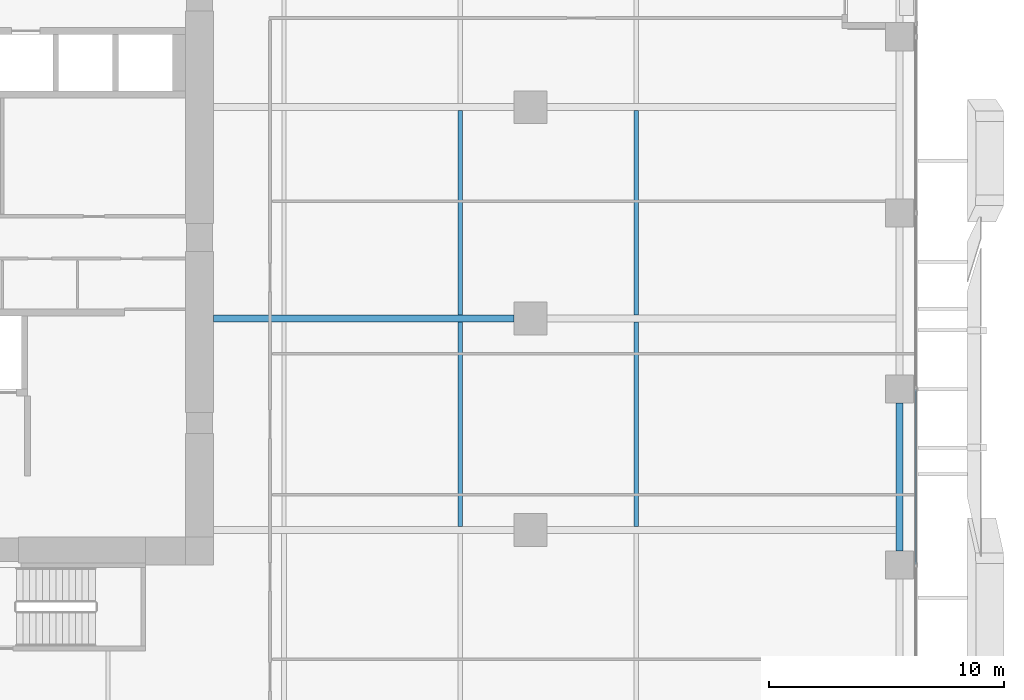
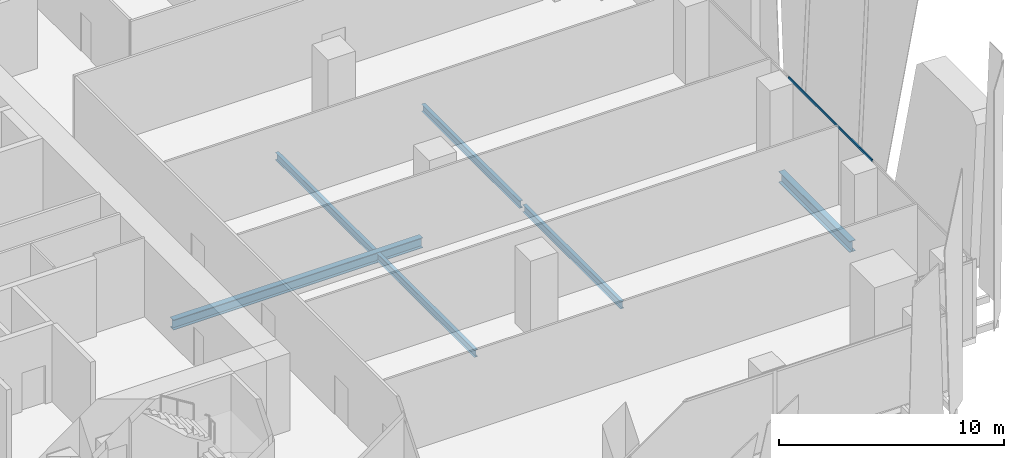
# One storey, part 12 of 37: 6 beams, 1 member, 1 element without a shape of its own.
"""IFC4 building model written with IfcOpenShell, lengths in metres."""

from ifc_helpers import new_model, si_unit, direction, frame, origin, origin_2d, place, context, subcontext, project, spatial, hollow_rectangle, i_section, extrude, source, transform, mapped, material, material_profile, profile_set, type_object, element, aggregate, save


model = new_model("IFC4")

# Units and contexts
model_context = context("Model", 3, precision=1e-05, world=origin(), true_north=direction((0.0, 1.0)))
body_context = subcontext(model_context, "Body", "Model", "MODEL_VIEW")
ifc_project = project(units=[si_unit("LENGTHUNIT", "METRE"), si_unit("AREAUNIT", "SQUARE_METRE"), si_unit("VOLUMEUNIT", "CUBIC_METRE"), si_unit("PLANEANGLEUNIT", "RADIAN"), si_unit("MASSUNIT", "GRAM", prefix="KILO")], contexts=[model_context])

# Site, building, storey
site_placement = place(None, origin())
site = spatial("IfcSite", under=ifc_project, at=site_placement, CompositionType="ELEMENT")
building_placement = place(site_placement, origin())
building = spatial("IfcBuilding", under=site, at=building_placement, Name="Khomas Fold Tower", CompositionType="ELEMENT")
storey_placement = place(building_placement, frame((0.0, 0.0, 60.0)))
storey = spatial("IfcBuildingStorey", under=building, at=storey_placement, Name="L12", CompositionType="ELEMENT", Elevation=60.0)

# Beams
ifc_material_1 = material(Name="Steel S355", Category="steel")
ifc_material_profile_1 = material_profile(ifc_material_1, i_section(OverallWidth=0.300048828125, OverallDepth=0.550048828125, WebThickness=0.014892578125, FlangeThickness=0.029052734375, at=origin_2d()), Name="HE 550 B")
ifc_profile_set_1 = profile_set([ifc_material_profile_1], Name="Steel S355")
beam_type_1 = type_object("IfcBeamType", Name="HE 550 B beam GB4", PredefinedType="BEAM", material=ifc_profile_set_1)
shared_shape_1 = source(origin(), body_context, "Body", "SweptSolid", [
    extrude(i_section(OverallWidth=0.300048828125, OverallDepth=0.550048828125, WebThickness=0.014892578125, FlangeThickness=0.029052734375, at=origin_2d()), origin(), (0.0, 0.0, 1.0), 12.800048828125),
])
beam_1_placement = place(storey_placement, frame((24.0, 22.5, -0.574951171875), z_axis=(1.0, 0.0, 0.0), x_axis=(0.0, 1.0, 0.0)))
element("IfcBeam", 1, at=beam_1_placement, inside=storey, type_object=beam_type_1, Name="GB4", PredefinedType="BEAM", context=body_context, shape_type="MappedRepresentation", body=[
    mapped(shared_shape_1, transform((0.0, 0.0, 0.0))),
])
ifc_material_2 = material(Name="Steel S355", Category="steel")
ifc_material_profile_2 = material_profile(ifc_material_2, i_section(OverallWidth=0.179931640625, OverallDepth=0.39990234375, WebThickness=0.008544921875, FlangeThickness=0.013427734375, at=origin_2d()), Name="IPE 400")
ifc_profile_set_2 = profile_set([ifc_material_profile_2], Name="Steel S355")
beam_type_2 = type_object("IfcBeamType", Name="IPE 400 beam JB3", PredefinedType="BEAM", material=ifc_profile_set_2)
shared_shape_2 = source(origin(), body_context, "Body", "SweptSolid", [
    extrude(i_section(OverallWidth=0.179931640625, OverallDepth=0.39990234375, WebThickness=0.008544921875, FlangeThickness=0.013427734375, at=origin_2d()), origin(), (0.0, 0.0, 1.0), 8.7001953125),
])
for number, where, z_axis, x_axis, name in (
    (2, (34.5, 13.64990234375, -0.5), (0.0, 1.0, 0.0), (-1.0, 0.0, 0.0), "JB3"),
    (3, (34.5, 22.64990234375, -0.5), (0.0, 1.0, 0.0), (-1.0, 0.0, 0.0), "JB3"),
    (4, (42.0, 13.64990234375, -0.5), (0.0, 1.0, 0.0), (-1.0, 0.0, 0.0), "JB3"),
    (5, (42.0, 22.64990234375, -0.5), (0.0, 1.0, 0.0), (-1.0, 0.0, 0.0), "JB3"),
):
    element("IfcBeam", number, at=place(storey_placement, frame(where, z_axis=z_axis, x_axis=x_axis)), inside=storey, type_object=beam_type_2, Name=name, PredefinedType="BEAM", context=body_context, shape_type="MappedRepresentation", body=[
        mapped(shared_shape_2, transform((0.0, 0.0, 0.0))),
    ])
ifc_material_3 = material(Name="Steel S355", Category="steel")
ifc_material_profile_3 = material_profile(ifc_material_3, i_section(OverallWidth=0.300048828125, OverallDepth=0.60009765625, WebThickness=0.015380859375, FlangeThickness=0.030029296875, at=origin_2d()), Name="HE 600 B")
ifc_profile_set_3 = profile_set([ifc_material_profile_3], Name="Steel S355")
beam_type_3 = type_object("IfcBeamType", Name="HE 600 B spandrel SB1", PredefinedType="SPANDREL", material=ifc_profile_set_3)
shared_shape_3 = source(origin(), body_context, "Body", "SweptSolid", [
    extrude(i_section(OverallWidth=0.300048828125, OverallDepth=0.60009765625, WebThickness=0.015380859375, FlangeThickness=0.030029296875, at=origin_2d()), origin(), (0.0, 0.0, 1.0), 6.2998046875),
])
beam_2_placement = place(storey_placement, frame((53.199951171875, 12.60009765625, -0.60009765625), z_axis=(0.0, 1.0, 0.0), x_axis=(-1.0, 0.0, 0.0)))
element("IfcBeam", 6, at=beam_2_placement, inside=storey, type_object=beam_type_3, Name="SB1", PredefinedType="SPANDREL", context=body_context, shape_type="MappedRepresentation", body=[
    mapped(shared_shape_3, transform((0.0, 0.0, 0.0))),
])

# Curtain wall, member
ifc_material_4 = material(Name="Aluminium framed double glazing", Category="aluminium")
curtain_wall_type = type_object("IfcCurtainWallType", Name="SK-Unitised clear-glass wall, growing floors CW1", PredefinedType="NOTDEFINED", material=ifc_material_4)
curtain_wall_placement = place(storey_placement, origin())
curtain_wall = element("IfcCurtainWall", 7, at=curtain_wall_placement, inside=storey, type_object=curtain_wall_type, Name="CW1 run L12 03-0", PredefinedType="NOTDEFINED")
ifc_material_5 = material(Name="Aluminium", Category="aluminium")
ifc_material_profile_4 = material_profile(ifc_material_5, hollow_rectangle(XDim=0.06005859375, YDim=0.1201171875, WallThickness=0.00390625, at=origin_2d()), Name="SK-Unitised clear-glass wall, growing floors transom CW1-T")
ifc_profile_set_4 = profile_set([ifc_material_profile_4], Name="Aluminium")
member_type = type_object("IfcMemberType", Name="SK-Unitised clear-glass wall, growing floors transom CW1-T", PredefinedType="USERDEFINED", material=ifc_profile_set_4)
shared_shape_4 = source(origin(), body_context, "Body", "SweptSolid", [
    extrude(hollow_rectangle(XDim=0.06005859375, YDim=0.1201171875, WallThickness=0.00390625, at=origin_2d()), origin(), (0.0, 0.0, 1.0), 7.43994140625),
])
member_placement = place(storey_placement, frame((53.89990234375, 12.030029296875, 4.139892578125), z_axis=(0.0, 1.0, 0.0), x_axis=(-1.0, 0.0, 0.0)))
member = element("IfcMember", 8, at=member_placement, type_object=member_type, Name="CW1 transom 3", ObjectType="TRANSOM", PredefinedType="USERDEFINED", context=body_context, shape_type="MappedRepresentation", body=[
    mapped(shared_shape_4, transform((0.0, 0.0, 0.0))),
])
aggregate(curtain_wall, [member])

save(model, "model.ifc")
